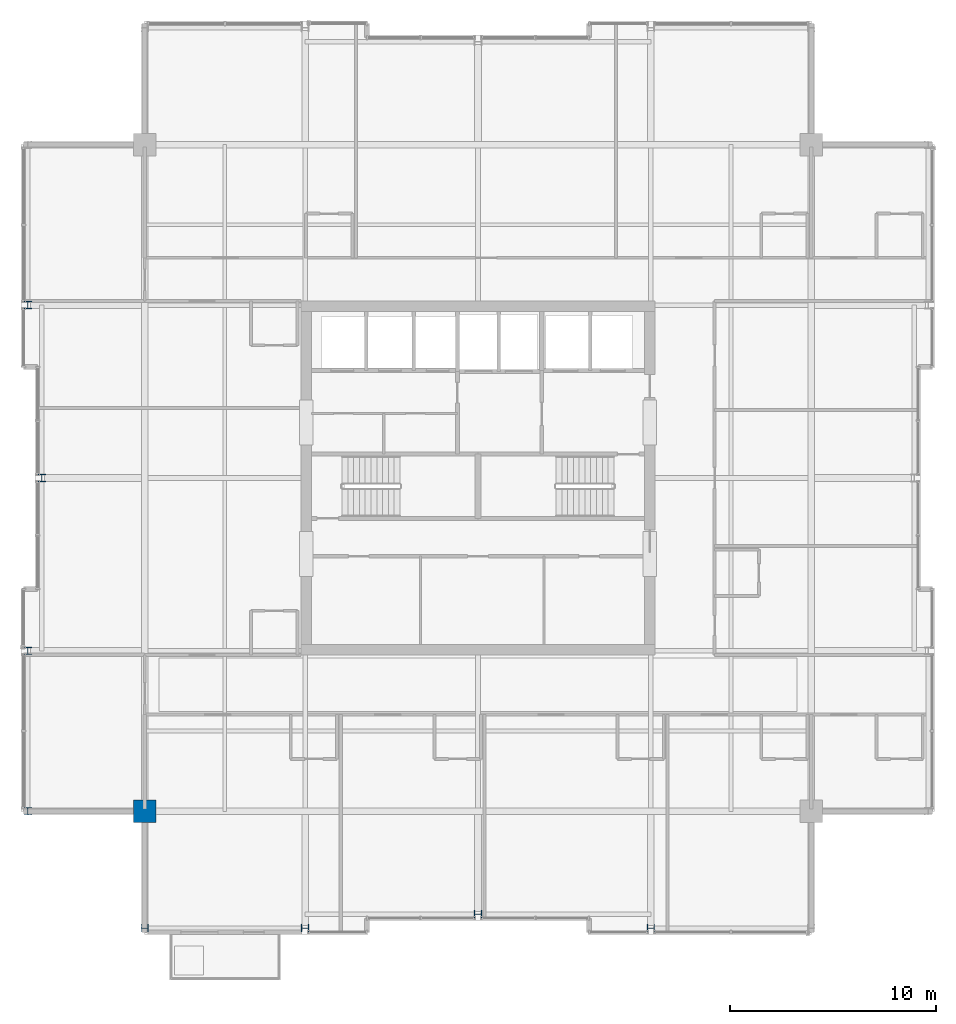
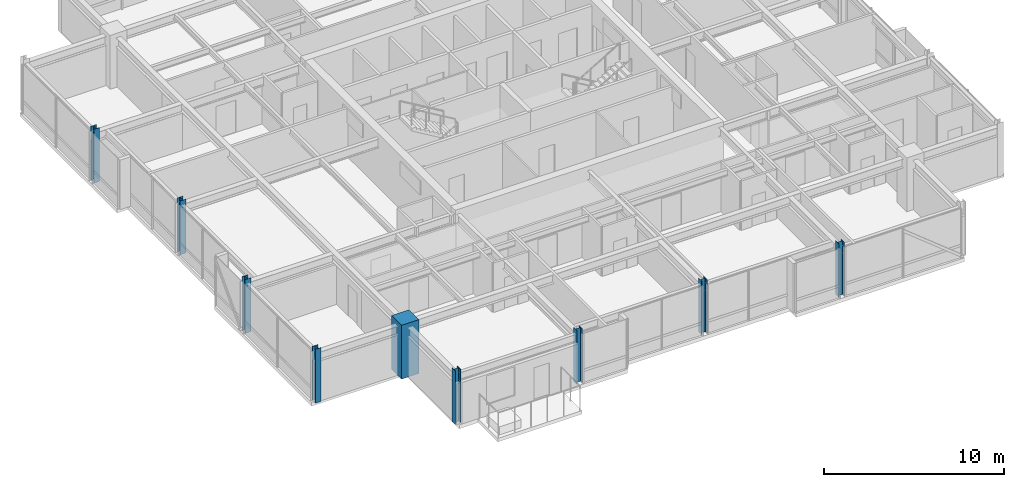
# One storey, part 1 of 34: 9 columns.
"""IFC4 building model written with IfcOpenShell, lengths in metres."""

from ifc_helpers import new_model, si_unit, direction, frame, origin, origin_2d, place, context, subcontext, project, spatial, rectangle, i_section, extrude, material, material_profile, profile_set, type_object, element, save


model = new_model("IFC4")

# Units and contexts
model_context = context("Model", 3, precision=1e-05, world=origin(), true_north=direction((0.0, 1.0)))
body_context = subcontext(model_context, "Body", "Model", "MODEL_VIEW")
ifc_project = project(units=[si_unit("LENGTHUNIT", "METRE"), si_unit("AREAUNIT", "SQUARE_METRE"), si_unit("VOLUMEUNIT", "CUBIC_METRE"), si_unit("PLANEANGLEUNIT", "RADIAN"), si_unit("MASSUNIT", "GRAM", prefix="KILO")], contexts=[model_context])

# Site, building, storey
site_placement = place(None, origin())
site = spatial("IfcSite", under=ifc_project, at=site_placement, CompositionType="ELEMENT")
building_placement = place(site_placement, origin())
building = spatial("IfcBuilding", under=site, at=building_placement, Name="Drelvath Grand Hotel", CompositionType="ELEMENT")
storey_placement = place(building_placement, frame((0.0, 0.0, 290.550048828125)))
storey = spatial("IfcBuildingStorey", under=building, at=storey_placement, Name="L76", CompositionType="ELEMENT", Elevation=290.550048828125)

# Columns
ifc_material_1 = material(Name="Concrete f'c 55 MPa", Category="concrete")
ifc_material_profile_1 = material_profile(ifc_material_1, rectangle(XDim=1.10009765625, YDim=1.10009765625, at=origin_2d()), Name="MC1100X1100")
ifc_profile_set_1 = profile_set([ifc_material_profile_1], Name="Concrete f'c 55 MPa")
column_type_1 = type_object("IfcColumnType", Name="Composite Mega Column MC1100X1100", PredefinedType="COLUMN", material=ifc_profile_set_1)
column_placement = place(storey_placement, frame((-16.199951171875, 10.800048828125, 0.0), z_axis=(0.0, 0.0, 1.0), x_axis=(1.0, 0.0, 0.0)))
element("IfcColumn", 1, at=column_placement, inside=storey, type_object=column_type_1, Name="L76 Composite Mega Column MC-SW", PredefinedType="COLUMN", context=body_context, shape_type="SweptSolid", body=[
    extrude(rectangle(XDim=1.10009765625, YDim=1.10009765625, at=origin_2d()), origin(), (0.0, 0.0, 1.0), 3.64990234375),
])
ifc_material_2 = material(Name="Steel ASTM A913 Gr 65", Category="steel")
ifc_material_profile_2 = material_profile(ifc_material_2, i_section(OverallWidth=0.368896484375, OverallDepth=0.356201171875, WebThickness=0.01123046875, FlangeThickness=0.01806640625, FilletRadius=0.02490234375, at=origin_2d()), Name="W14X90")
ifc_profile_set_2 = profile_set([ifc_material_profile_2], Name="Steel ASTM A913 Gr 65")
column_type_2 = type_object("IfcColumnType", Name="Perimeter Steel Column W14X90", PredefinedType="COLUMN", material=ifc_profile_set_2)
for number, where, z_axis, x_axis, name in (
    (2, (-21.8798828125, 10.800048828125, 0.0), (0.0, 0.0, 1.0), (1.0, 0.0, 0.0), "L76 Structural Column TCW-C"),
    (3, (-21.8798828125, 18.60009765625, 0.0), (0.0, 0.0, 1.0), (1.0, 0.0, 0.0), "L76 Structural Column TCW-D"),
    (4, (-21.199951171875, 27.0, 0.0), (0.0, 0.0, 1.0), (1.0, 0.0, 0.0), "L76 Structural Column TCW-E"),
    (5, (-21.8798828125, 35.39990234375, 0.0), (0.0, 0.0, 1.0), (1.0, 0.0, 0.0), "L76 Structural Column TCW-F"),
    (6, (-16.199951171875, 5.1201171875, 0.0), (0.0, 0.0, 1.0), (0.0, 1.0, 0.0), "L76 Structural Column TCS-3"),
    (7, (-8.39990234375, 5.1201171875, 0.0), (0.0, 0.0, 1.0), (0.0, 1.0, 0.0), "L76 Structural Column TCS-4"),
    (8, (0.0, 5.800048828125, 0.0), (0.0, 0.0, 1.0), (0.0, 1.0, 0.0), "L76 Structural Column TCS-5"),
    (9, (8.39990234375, 5.1201171875, 0.0), (0.0, 0.0, 1.0), (0.0, 1.0, 0.0), "L76 Structural Column TCS-6"),
):
    element("IfcColumn", number, at=place(storey_placement, frame(where, z_axis=z_axis, x_axis=x_axis)), inside=storey, type_object=column_type_2, Name=name, PredefinedType="COLUMN", context=body_context, shape_type="SweptSolid", body=[
        extrude(i_section(OverallWidth=0.368896484375, OverallDepth=0.356201171875, WebThickness=0.01123046875, FlangeThickness=0.01806640625, FilletRadius=0.02490234375, at=origin_2d()), origin(), (0.0, 0.0, 1.0), 3.64697265625),
    ])

save(model, "model.ifc")
